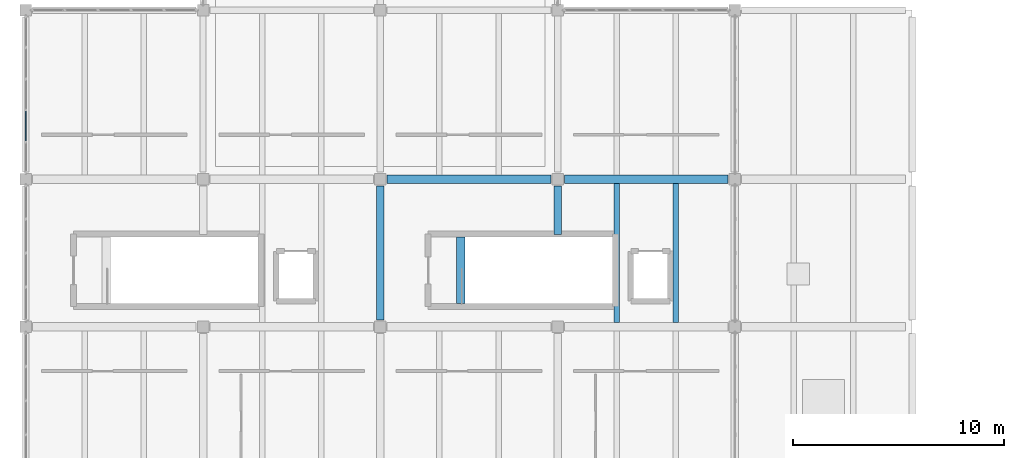
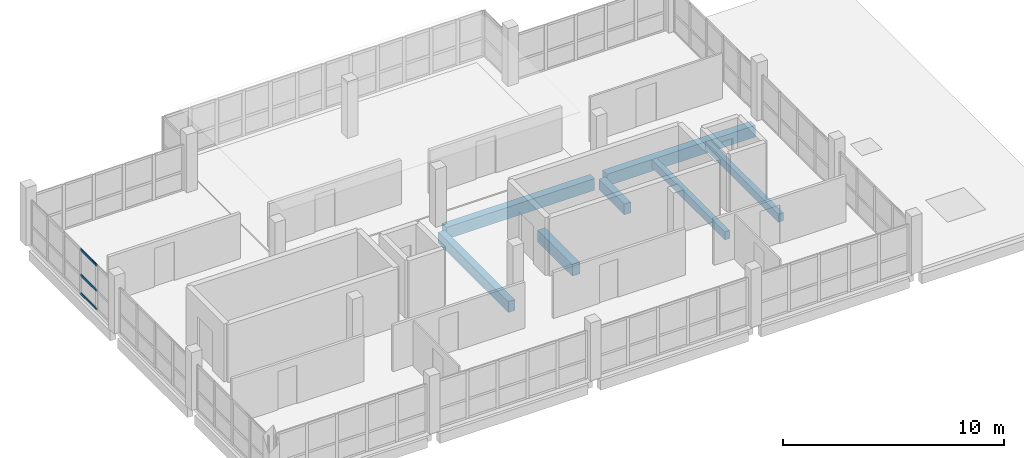
# One storey, part 8 of 24: 7 beams, 3 members, 1 element without a shape of its own.
"""IFC4 building model written with IfcOpenShell, lengths in metres."""

import ifcopenshell
import ifcopenshell.guid

model = None  # the IFC model being written
_history = None  # IfcOwnerHistory: only IFC2X3 demands one
_inside = {}  # id of a spatial element -> (the spatial element, [elements in it])
_under = {}  # id of a project, library or spatial element -> (it, [spatial elements below it])
_declared = {}  # id of a project -> (the project, [libraries it declares])
_typed = {}  # id of a type object -> (the type object, [elements of that type])
_made_of = {}  # id of a material, layer set ... -> (it, [elements and type objects made of it])


def new_model(schema):
    """Start an empty IFC model of exactly this schema.

    Asked for "IFC4X3", IfcOpenShell would pick the latest addendum, in which some entities
    have other attributes; the version numbers below select the first issue.
    IFC2X3 requires an IfcOwnerHistory on every rooted entity: one is made here for all.
    """
    global model, _history
    if schema == "IFC4X3":
        model = ifcopenshell.file(schema_version=(4, 3, 0, 0))
    else:
        model = ifcopenshell.file(schema=schema)
    _inside.clear()
    _under.clear()
    _declared.clear()
    _typed.clear()
    _made_of.clear()
    _history = None
    if model.schema == "IFC2X3":
        org = make("IfcOrganization", Name="unknown")
        user = make(
            "IfcPersonAndOrganization",
            ThePerson=make("IfcPerson", FamilyName="unknown"),
            TheOrganization=org,
        )
        app = make(
            "IfcApplication",
            ApplicationDeveloper=org,
            Version="unknown",
            ApplicationFullName="unknown",
            ApplicationIdentifier="unknown",
        )
        _history = make(
            "IfcOwnerHistory",
            OwningUser=user,
            OwningApplication=app,
            ChangeAction="ADDED",
            CreationDate=0,
        )
    return model


def make(cls, **values):
    """One entity of the class cls with the attributes given. An attribute that is None is left unset."""
    return model.create_entity(
        cls, **{name: value for name, value in values.items() if value is not None}
    )


def rooted(cls, **values):
    """An entity with a GlobalId (a new one), such as an element, a storey or a relation."""
    return make(cls, GlobalId=ifcopenshell.guid.new(), OwnerHistory=_history, **values)


def si_unit(unit_type, name, prefix=None):
    """IfcSIUnit, for example si_unit("LENGTHUNIT", "METRE", prefix="MILLI")."""
    return make("IfcSIUnit", UnitType=unit_type, Prefix=prefix, Name=name)


def assignment(units):
    """IfcUnitAssignment: the units of a project."""
    return None if units is None else make("IfcUnitAssignment", Units=units)


def point(xyz):
    """IfcCartesianPoint."""
    return None if xyz is None else make("IfcCartesianPoint", Coordinates=xyz)


def direction(xyz):
    """IfcDirection."""
    return None if xyz is None else make("IfcDirection", DirectionRatios=xyz)


def frame(location, z_axis=None, x_axis=None):
    """IfcAxis2Placement3D, a coordinate frame: its origin and axes. An axis left out is left unset."""
    return make(
        "IfcAxis2Placement3D",
        Location=point(location),
        Axis=direction(z_axis),
        RefDirection=direction(x_axis),
    )


def frame_2d(location, x_axis=None):
    """IfcAxis2Placement2D, a coordinate frame in the plane: its origin and x axis."""
    return make(
        "IfcAxis2Placement2D", Location=point(location), RefDirection=direction(x_axis)
    )


def origin():
    """The frame at (0, 0, 0) with its axes left unset."""
    return frame((0.0, 0.0, 0.0))


def origin_2d():
    """The frame at (0, 0) in the plane with its x axis left unset."""
    return frame_2d((0.0, 0.0))


def place(relative_to, where):
    """IfcLocalPlacement: puts the frame where relative to a parent placement (None: the world)."""
    return make(
        "IfcLocalPlacement", PlacementRelTo=relative_to, RelativePlacement=where
    )


def context(
    kind, dimensions, precision=None, world=None, true_north=None, identifier=None
):
    """IfcGeometricRepresentationContext, for example the 3D "Model" context."""
    return make(
        "IfcGeometricRepresentationContext",
        ContextIdentifier=identifier,
        ContextType=kind,
        CoordinateSpaceDimension=dimensions,
        Precision=precision,
        WorldCoordinateSystem=world,
        TrueNorth=true_north,
    )


def subcontext(parent, identifier, kind, view, scale=None):
    """IfcGeometricRepresentationSubContext, for example "Body" below "Model"."""
    return make(
        "IfcGeometricRepresentationSubContext",
        ContextIdentifier=identifier,
        ContextType=kind,
        ParentContext=parent,
        TargetScale=scale,
        TargetView=view,
    )


def project(units=None, contexts=None):
    """IfcProject with its units and contexts."""
    return rooted(
        "IfcProject",
        Name="project",
        RepresentationContexts=contexts,
        UnitsInContext=assignment(units),
    )


def spatial(cls, under=None, at=None, **own):
    """A site, building, storey or space (cls), placed at a placement, below another one or the project."""
    s = rooted(cls, ObjectPlacement=at, **own)
    if under is not None:
        _under.setdefault(under.id(), (under, []))[1].append(s)
    return s


def profile(cls, at=None, kind="AREA", **sizes):
    """A parametric profile (cls). Its sizes go by their IFC names, for example OverallWidth=200.0."""
    return make(cls, ProfileType=kind, Position=at, **sizes)


def rectangle(**sizes):
    """IfcRectangleProfileDef."""
    return profile("IfcRectangleProfileDef", **sizes)


def hollow_rectangle(**sizes):
    """IfcRectangleHollowProfileDef."""
    return profile("IfcRectangleHollowProfileDef", **sizes)


def extrude(swept, where, along, depth):
    """IfcExtrudedAreaSolid: the profile swept, set in the frame where, extruded along a direction by depth."""
    return make(
        "IfcExtrudedAreaSolid",
        SweptArea=swept,
        Position=where,
        ExtrudedDirection=direction(along),
        Depth=depth,
    )


def shape(context_of_items, identifier, shape_type, items):
    """IfcShapeRepresentation: the items that make up one representation, for example the "Body"."""
    return make(
        "IfcShapeRepresentation",
        ContextOfItems=context_of_items,
        RepresentationIdentifier=identifier,
        RepresentationType=shape_type,
        Items=items,
    )


def material(Name=None, Category=None):
    """IfcMaterial."""
    return make("IfcMaterial", Name=Name, Category=Category)


def layer(
    of_material, thickness, ventilated=None, Name=None, Category=None, Priority=None
):
    """IfcMaterialLayer: one layer of a wall or slab, of a material (None: an air gap)."""
    return make(
        "IfcMaterialLayer",
        Material=of_material,
        LayerThickness=thickness,
        IsVentilated=ventilated,
        Name=Name,
        Category=Category,
        Priority=Priority,
    )


def layer_set(layers, Name=None):
    """IfcMaterialLayerSet."""
    return make("IfcMaterialLayerSet", MaterialLayers=layers, LayerSetName=Name)


def material_profile(
    of_material, cross_section, Name=None, Category=None, Priority=None
):
    """IfcMaterialProfile: a cross section and its material."""
    return make(
        "IfcMaterialProfile",
        Name=Name,
        Material=of_material,
        Profile=cross_section,
        Priority=Priority,
        Category=Category,
    )


def profile_set(profiles, Name=None, composite=None):
    """IfcMaterialProfileSet."""
    return make(
        "IfcMaterialProfileSet",
        Name=Name,
        MaterialProfiles=profiles,
        CompositeProfile=composite,
    )


def made_of(thing, what):
    """Note that an element or type object is made of a material, layer set ...; save() writes the relation."""
    if what is not None:
        _made_of.setdefault(what.id(), (what, []))[1].append(thing)
    return thing


def type_object(cls, material=None, **own):
    """A type object (cls), such as IfcWallType, which elements share."""
    return made_of(rooted(cls, **own), material)


def element(
    cls,
    number,
    at=None,
    inside=None,
    cuts=None,
    type_object=None,
    material=None,
    context=None,
    identifier="Body",
    shape_type=None,
    held_by="IfcProductDefinitionShape",
    body=None,
    shapes=None,
    **own,
):
    """One element of the class cls, such as IfcWall. Its Tag is "e" and its number.

    at: its placement. inside: the storey or other place that contains it. cuts: it is an
    opening in that element (IfcRelVoidsElement). A single representation is given by context,
    identifier, shape_type and body (its items); several are given by shapes. held_by: the class
    of the entity that holds the representations. save() writes the other relations.
    """
    e = rooted(cls, Tag="e%d" % number, ObjectPlacement=at, **own)
    if body is not None:
        shapes = [shape(context, identifier, shape_type, body)]
    if shapes is not None:
        e.Representation = make(held_by, Representations=shapes)
    if inside is not None:
        _inside.setdefault(inside.id(), (inside, []))[1].append(e)
    if cuts is not None:
        rooted(
            "IfcRelVoidsElement", RelatingBuildingElement=cuts, RelatedOpeningElement=e
        )
    if type_object is not None:
        _typed.setdefault(type_object.id(), (type_object, []))[1].append(e)
    return made_of(e, material)


def aggregate(whole, parts):
    """IfcRelAggregates: a whole, such as a stair, and the parts it consists of."""
    return rooted("IfcRelAggregates", RelatingObject=whole, RelatedObjects=parts)


def save(model, path):
    """Write the relations noted so far, then the file.

    IfcRelAggregates (storeys below a building ...), IfcRelContainedInSpatialStructure (elements
    in a storey), IfcRelDefinesByType, IfcRelAssociatesMaterial and IfcRelDeclares: one each for
    every whole, place, type object, material and project.
    """
    for whole, parts in _under.values():
        aggregate(whole, parts)
    for where, things in _inside.values():
        rooted(
            "IfcRelContainedInSpatialStructure",
            RelatedElements=things,
            RelatingStructure=where,
        )
    for kind, things in _typed.values():
        rooted("IfcRelDefinesByType", RelatedObjects=things, RelatingType=kind)
    for what, things in _made_of.values():
        rooted("IfcRelAssociatesMaterial", RelatedObjects=things, RelatingMaterial=what)
    for by, libraries in _declared.values():
        rooted("IfcRelDeclares", RelatingContext=by, RelatedDefinitions=libraries)
    model.write(path)


model = new_model("IFC4")

# Units and contexts
model_context = context("Model", 3, precision=1e-05, world=origin(), true_north=direction((0.0, 1.0)))
body_context = subcontext(model_context, "Body", "Model", "MODEL_VIEW")
ifc_project = project(units=[si_unit("LENGTHUNIT", "METRE"), si_unit("AREAUNIT", "SQUARE_METRE"), si_unit("VOLUMEUNIT", "CUBIC_METRE"), si_unit("PLANEANGLEUNIT", "RADIAN"), si_unit("MASSUNIT", "GRAM", prefix="KILO"), si_unit("THERMODYNAMICTEMPERATUREUNIT", "KELVIN"), si_unit("POWERUNIT", "WATT")], contexts=[model_context])

# Site, building, storey
site_placement = place(None, origin())
site = spatial("IfcSite", under=ifc_project, at=site_placement, CompositionType="ELEMENT")
building_placement = place(site_placement, origin())
building = spatial("IfcBuilding", under=site, at=building_placement, Name="Mavoryth Pier Ferry Terminal", CompositionType="ELEMENT")
storey_placement = place(building_placement, frame((0.0, 0.0, 16.320068359375)))
storey = spatial("IfcBuildingStorey", under=building, at=storey_placement, Name="L04", CompositionType="ELEMENT", Elevation=16.320068359375)

# Beams
ifc_material_1 = material(Name="Concrete C35/45", Category="concrete")
ifc_material_profile_1 = material_profile(ifc_material_1, rectangle(XDim=0.35009765625, YDim=0.60009765625, at=origin_2d()), Name="RC 350x600", Category="concrete")
ifc_profile_set_1 = profile_set([ifc_material_profile_1], Name="Concrete C35/45 - RC 350x600")
beam_type_1 = type_object("IfcBeamType", Name="Girder-RC-350x600", PredefinedType="BEAM", material=ifc_profile_set_1)
beam_1_placement = place(storey_placement, frame((58.800048828125, 7.324951171875, -0.56005859375), z_axis=(0.0, 1.0, 0.0), x_axis=(-1.0, 0.0, 0.0)))
element("IfcBeam", 1, at=beam_1_placement, inside=storey, type_object=beam_type_1, Name="Beam B04-BG08-1483", PredefinedType="BEAM", context=body_context, shape_type="SweptSolid", body=[
    extrude(rectangle(XDim=0.35009765625, YDim=0.60009765625, at=origin_2d()), origin(), (0.0, 0.0, 1.0), 6.35009765625),
])
beam_2_placement = place(storey_placement, frame((67.199951171875, 11.3798828125, -0.56005859375), z_axis=(0.0, 1.0, 0.0), x_axis=(-1.0, 0.0, 0.0)))
element("IfcBeam", 2, at=beam_2_placement, inside=storey, type_object=beam_type_1, Name="Beam B04-BG08-1485", PredefinedType="BEAM", context=body_context, shape_type="SweptSolid", body=[
    extrude(rectangle(XDim=0.35009765625, YDim=0.60009765625, at=origin_2d()), origin(), (0.0, 0.0, 1.0), 2.295166015625),
])
ifc_material_profile_2 = material_profile(ifc_material_1, rectangle(XDim=0.39990234375, YDim=0.64990234375, at=origin_2d()), Name="RC 400x650", Category="concrete")
ifc_profile_set_2 = profile_set([ifc_material_profile_2], Name="Concrete C35/45 - RC 400x650")
beam_type_2 = type_object("IfcBeamType", Name="Girder-RC-400x650", PredefinedType="BEAM", material=ifc_profile_set_2)
for number, where, z_axis, x_axis, name in (
    (3, (59.125, 14.0, -0.5849609375), (1.0, 0.0, 0.0), (0.0, 1.0, 0.0), "Beam B04-BG05-1469"),
    (4, (67.52490234375, 14.0, -0.5849609375), (1.0, 0.0, 0.0), (0.0, 1.0, 0.0), "Beam B04-BG05-1470"),
):
    element("IfcBeam", number, at=place(storey_placement, frame(where, z_axis=z_axis, x_axis=x_axis)), inside=storey, type_object=beam_type_2, Name=name, PredefinedType="BEAM", context=body_context, shape_type="SweptSolid", body=[
        extrude(rectangle(XDim=0.39990234375, YDim=0.64990234375, at=origin_2d()), origin(), (0.0, 0.0, 1.0), 7.75),
    ])
beam_3_placement = place(storey_placement, frame((62.6201171875, 8.10009765625, -0.324951171875), z_axis=(0.0, 1.0, 0.0), x_axis=(-1.0, 0.0, 0.0)))
element("IfcBeam", 5, at=beam_3_placement, inside=storey, type_object=beam_type_2, Name="Beam B04-BG05-1591", PredefinedType="BEAM", context=body_context, shape_type="SweptSolid", body=[
    extrude(rectangle(XDim=0.39990234375, YDim=0.64990234375, at=origin_2d()), origin(), (0.0, 0.0, 1.0), 3.14990234375),
])
ifc_material_profile_3 = material_profile(ifc_material_1, rectangle(XDim=0.260009765625, YDim=0.449951171875, at=origin_2d()), Name="RC 260x450", Category="concrete")
ifc_profile_set_3 = profile_set([ifc_material_profile_3], Name="Concrete C35/45 - RC 260x450")
beam_type_3 = type_object("IfcBeamType", Name="Joist-RC-260x450", PredefinedType="JOIST", material=ifc_profile_set_3)
for number, where, z_axis, x_axis, name in (
    (6, (70.0, 7.199951171875, -0.485107421875), (0.0, 1.0, 0.0), (-1.0, 0.0, 0.0), "Beam B04-BJ03-1508"),
    (7, (72.800048828125, 7.199951171875, -0.485107421875), (0.0, 1.0, 0.0), (-1.0, 0.0, 0.0), "Beam B04-BJ03-1509"),
):
    element("IfcBeam", number, at=place(storey_placement, frame(where, z_axis=z_axis, x_axis=x_axis)), inside=storey, type_object=beam_type_3, Name=name, PredefinedType="JOIST", context=body_context, shape_type="SweptSolid", body=[
        extrude(rectangle(XDim=0.260009765625, YDim=0.449951171875, at=origin_2d()), origin(), (0.0, 0.0, 1.0), 6.60009765625),
    ])

# Curtain wall, members
ifc_material_2 = material(Name="Anodised Aluminium and Solar-Control Low-E Glass", Category="aluminium")
ifc_layer = layer(ifc_material_2, 0.260009765625, Name="Anodised Aluminium and Solar-Control Low-E Glass", Category="aluminium")
ifc_layer_set = layer_set([ifc_layer], Name="Anodised Aluminium and Solar-Control Low-E Glass - CW-VTSBridge-Mod1500")
curtain_wall_type = type_object("IfcCurtainWallType", Name="CW-VTSBridge-Mod1500", PredefinedType="USERDEFINED", material=ifc_layer_set)
curtain_wall_placement = place(storey_placement, origin())
curtain_wall = element("IfcCurtainWall", 8, at=curtain_wall_placement, inside=storey, type_object=curtain_wall_type, Name="Curtain Wall CW-0422-164", ObjectType="UNITISED CURTAIN WALL", PredefinedType="USERDEFINED")
ifc_material_3 = material(Name="Anodised Aluminium EN AW-6063", Category="aluminium")
ifc_material_profile_4 = material_profile(ifc_material_3, hollow_rectangle(XDim=0.06005859375, YDim=0.125, WallThickness=0.00390625, InnerFilletRadius=0.00390625, OuterFilletRadius=0.008056640625, at=origin_2d()), Name="AL-TRAN 125x60x4", Category="aluminium")
ifc_profile_set_4 = profile_set([ifc_material_profile_4], Name="Anodised Aluminium EN AW-6063 - AL-TRAN 125x60x4")
member_type = type_object("IfcMemberType", Name="Transom-Alum-125x60", PredefinedType="USERDEFINED", material=ifc_profile_set_4)
member_1_placement = place(storey_placement, frame((42.0, 17.22509765625, 0.030029296875), z_axis=(0.0, -1.0, 0.0), x_axis=(1.0, 0.0, 0.0)))
member_1 = element("IfcMember", 9, at=member_1_placement, type_object=member_type, Name="CW07 transom 4.1", ObjectType="TRANSOM", PredefinedType="USERDEFINED", context=body_context, shape_type="SweptSolid", body=[
    extrude(hollow_rectangle(XDim=0.06005859375, YDim=0.125, WallThickness=0.00390625, InnerFilletRadius=0.00390625, OuterFilletRadius=0.008056640625, at=origin_2d()), origin(), (0.0, 0.0, 1.0), 1.43017578125),
])
member_2_placement = place(storey_placement, frame((42.0, 17.22509765625, 1.050048828125), z_axis=(0.0, -1.0, 0.0), x_axis=(1.0, 0.0, 0.0)))
member_2 = element("IfcMember", 10, at=member_2_placement, type_object=member_type, Name="CW07 transom 4.2", ObjectType="TRANSOM", PredefinedType="USERDEFINED", context=body_context, shape_type="SweptSolid", body=[
    extrude(hollow_rectangle(XDim=0.06005859375, YDim=0.125, WallThickness=0.00390625, InnerFilletRadius=0.00390625, OuterFilletRadius=0.008056640625, at=origin_2d()), origin(), (0.0, 0.0, 1.0), 1.43017578125),
])
member_3_placement = place(storey_placement, frame((42.0, 17.22509765625, 2.44482421875), z_axis=(0.0, -1.0, 0.0), x_axis=(1.0, 0.0, 0.0)))
member_3 = element("IfcMember", 11, at=member_3_placement, type_object=member_type, Name="CW07 transom 4.3", ObjectType="TRANSOM", PredefinedType="USERDEFINED", context=body_context, shape_type="SweptSolid", body=[
    extrude(hollow_rectangle(XDim=0.06005859375, YDim=0.125, WallThickness=0.00390625, InnerFilletRadius=0.00390625, OuterFilletRadius=0.008056640625, at=origin_2d()), origin(), (0.0, 0.0, 1.0), 1.43017578125),
])
aggregate(curtain_wall, [member_1, member_2, member_3])

save(model, "model.ifc")
